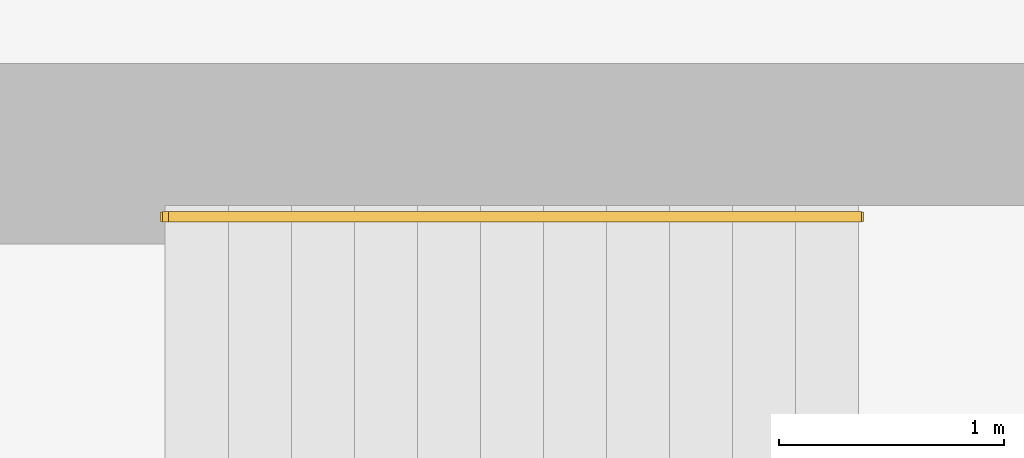
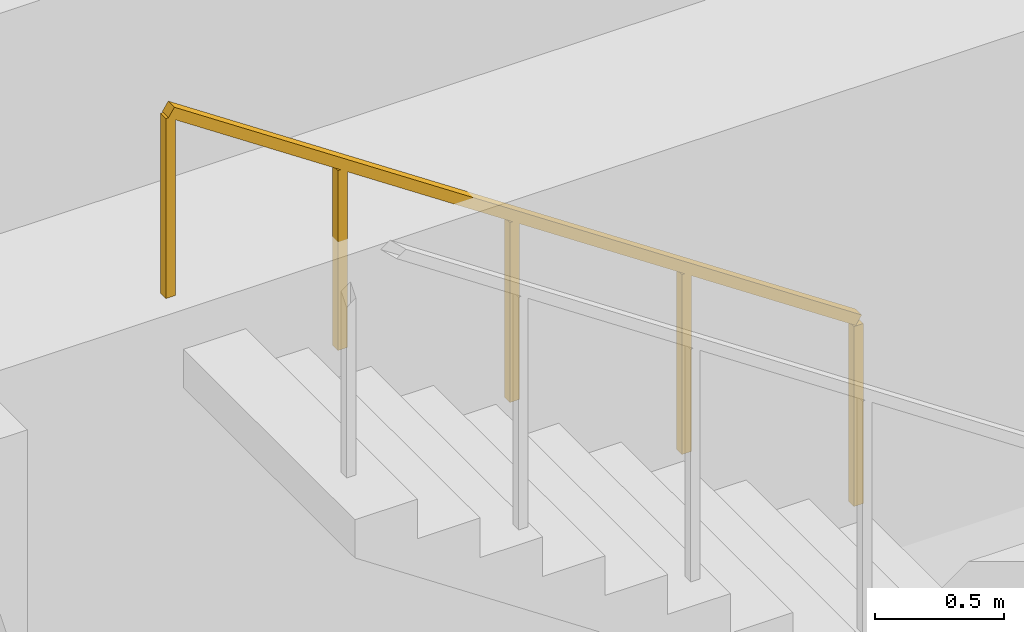
# One storey, part 14 of 14: 1 railing.
"""IFC4 building model written with IfcOpenShell, lengths in metres."""

from ifc_helpers import new_model, si_unit, direction, frame, origin, origin_2d, place, context, subcontext, project, spatial, rectangle, extrude, material, type_object, element, save


model = new_model("IFC4")

# Units and contexts
model_context = context("Model", 3, precision=1e-05, world=origin(), true_north=direction((0.0, 1.0)))
body_context = subcontext(model_context, "Body", "Model", "MODEL_VIEW")
ifc_project = project(units=[si_unit("LENGTHUNIT", "METRE"), si_unit("AREAUNIT", "SQUARE_METRE"), si_unit("VOLUMEUNIT", "CUBIC_METRE"), si_unit("PLANEANGLEUNIT", "RADIAN"), si_unit("MASSUNIT", "GRAM", prefix="KILO")], contexts=[model_context])

# Site, building, storey
site_placement = place(None, origin())
site = spatial("IfcSite", under=ifc_project, at=site_placement, CompositionType="ELEMENT")
building_placement = place(site_placement, origin())
building = spatial("IfcBuilding", under=site, at=building_placement, Name="Zarnavel Station Tower", CompositionType="ELEMENT")
storey_placement = place(building_placement, frame((0.0, 0.0, 14.89990234375)))
storey = spatial("IfcBuildingStorey", under=building, at=storey_placement, Name="L04", CompositionType="ELEMENT", Elevation=14.89990234375)

# Railing
ifc_material = material(Name="Brushed Stainless Steel S355J2 Handrail", Category="steel")
railing_type = type_object("IfcRailingType", Name="HR_STAIR_900", PredefinedType="HANDRAIL", material=ifc_material)
railing_placement = place(storey_placement, frame((41.159912109375, 36.77001953125, 2.4375)))
element("IfcRailing", 1, at=railing_placement, inside=storey, type_object=railing_type, Name="L04 ST2 stair handrail 2", PredefinedType="HANDRAIL", context=body_context, shape_type="SweptSolid", body=[
    extrude(rectangle(XDim=0.048095703125, YDim=0.048095703125, at=origin_2d()), frame((-0.001708984375, 0.0, 0.876953125), z_axis=(-0.830893310487, 0.0, 0.556431762742), x_axis=(0.0, -1.0, 0.0)), (0.0, 0.0, 1.0), 3.70263671875),
    extrude(rectangle(XDim=0.0419921875, YDim=0.0419921875, at=origin_2d()), origin(), (0.0, 0.0, 1.0), 0.851806640625),
    extrude(rectangle(XDim=0.0419921875, YDim=0.0419921875, at=origin_2d()), frame((-0.77001953125, 0.0, 0.515625)), (0.0, 0.0, 1.0), 0.851806640625),
    extrude(rectangle(XDim=0.0419921875, YDim=0.0419921875, at=origin_2d()), frame((-1.5400390625, 0.0, 1.03125)), (0.0, 0.0, 1.0), 0.851806640625),
    extrude(rectangle(XDim=0.0419921875, YDim=0.0419921875, at=origin_2d()), frame((-2.309814453125, 0.0, 1.546875)), (0.0, 0.0, 1.0), 0.851806640625),
    extrude(rectangle(XDim=0.0419921875, YDim=0.0419921875, at=origin_2d()), frame((-3.079833984375, 0.0, 2.0625)), (0.0, 0.0, 1.0), 0.851806640625),
])

save(model, "model.ifc")
